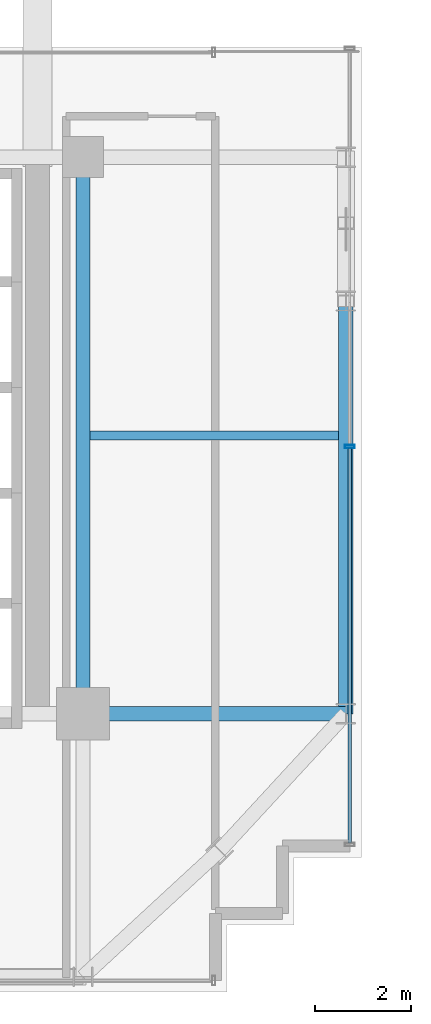
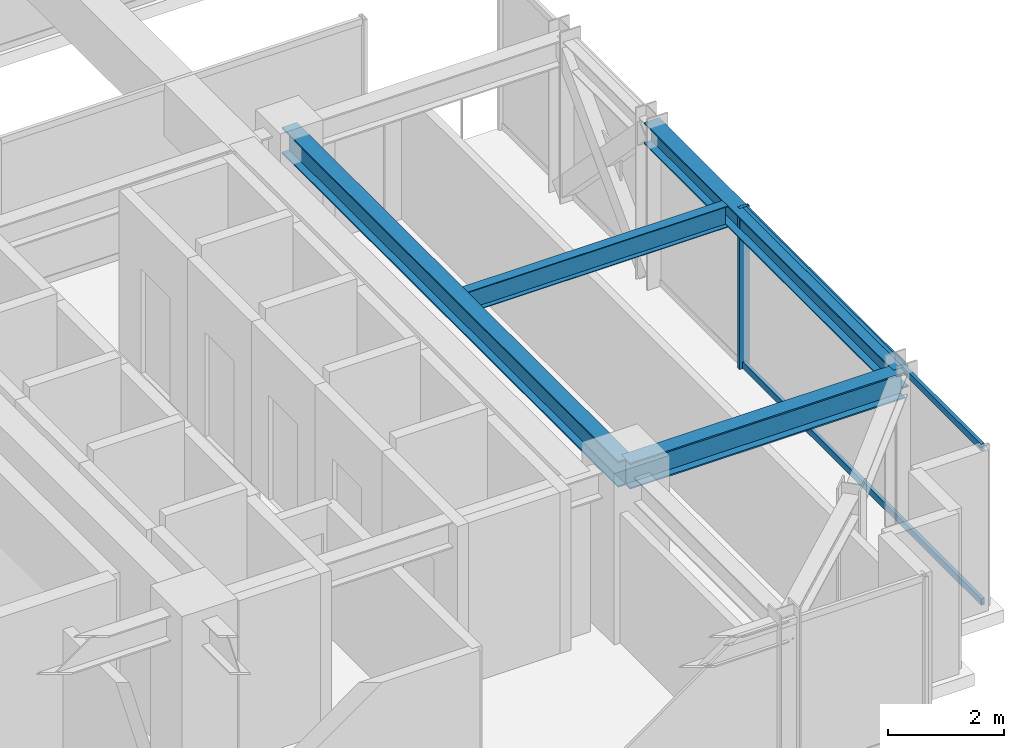
# One storey, part 14 of 38: 4 beams, 3 members, 1 element without a shape of its own.
"""IFC4 building model written with IfcOpenShell, lengths in metres."""

from ifc_helpers import new_model, si_unit, direction, frame, origin, origin_2d, place, context, subcontext, project, spatial, hollow_rectangle, i_section, extrude, source, transform, mapped, material, material_profile, profile_set, type_object, element, aggregate, save


model = new_model("IFC4")

# Units and contexts
model_context = context("Model", 3, precision=1e-05, world=origin(), true_north=direction((0.0, 1.0)))
body_context = subcontext(model_context, "Body", "Model", "MODEL_VIEW")
ifc_project = project(units=[si_unit("LENGTHUNIT", "METRE"), si_unit("AREAUNIT", "SQUARE_METRE"), si_unit("VOLUMEUNIT", "CUBIC_METRE"), si_unit("PLANEANGLEUNIT", "RADIAN"), si_unit("MASSUNIT", "GRAM", prefix="KILO")], contexts=[model_context])

# Site, building, storey
site_placement = place(None, origin())
site = spatial("IfcSite", under=ifc_project, at=site_placement, CompositionType="ELEMENT")
building_placement = place(site_placement, origin())
building = spatial("IfcBuilding", under=site, at=building_placement, Name="Nahalor Promenade Grand Hotel", CompositionType="ELEMENT")
storey_placement = place(building_placement, frame((0.0, 0.0, 178.199951171875)))
storey = spatial("IfcBuildingStorey", under=building, at=storey_placement, Name="L45", CompositionType="ELEMENT", Elevation=178.199951171875)

# Beams
ifc_material_1 = material(Name="Steel S355JR", Category="steel")
ifc_material_profile_1 = material_profile(ifc_material_1, i_section(OverallWidth=0.3, OverallDepth=0.55, WebThickness=0.015, FlangeThickness=0.029, at=origin_2d()), Name="HEB 550")
ifc_profile_set_1 = profile_set([ifc_material_profile_1], Name="Steel S355JR")
beam_type_1 = type_object("IfcBeamType", Name="Beam-Girder-HEB550", PredefinedType="BEAM", material=ifc_profile_set_1)
shared_shape_1 = source(origin(), body_context, "Body", "SweptSolid", [
    extrude(i_section(OverallWidth=0.3, OverallDepth=0.55, WebThickness=0.015, FlangeThickness=0.029, at=origin_2d()), origin(), (0.0, 0.0, 1.0), 11.60009765625),
])
beam_1_placement = place(storey_placement, frame((17.0, -17.0, 3.114990234375), z_axis=(0.0, 1.0, 0.0), x_axis=(-1.0, 0.0, 0.0)))
element("IfcBeam", 1, at=beam_1_placement, inside=storey, type_object=beam_type_1, Name="BM-L45-GY-5-1", PredefinedType="BEAM", context=body_context, shape_type="MappedRepresentation", body=[
    mapped(shared_shape_1, transform((0.0, 0.0, 0.0), scale=1.0)),
])
shared_shape_2 = source(origin(), body_context, "Body", "SweptSolid", [
    extrude(i_section(OverallWidth=0.3, OverallDepth=0.55, WebThickness=0.015, FlangeThickness=0.029, at=origin_2d()), origin(), (0.0, 0.0, 1.0), 5.47998046875),
])
beam_2_placement = place(storey_placement, frame((17.0, -17.0, 3.114990234375), z_axis=(1.0, 0.0, 0.0), x_axis=(0.0, 1.0, 0.0)))
element("IfcBeam", 2, at=beam_2_placement, inside=storey, type_object=beam_type_1, Name="BM-L45-GX-0-6", PredefinedType="BEAM", context=body_context, shape_type="MappedRepresentation", body=[
    mapped(shared_shape_2, transform((0.0, 0.0, 0.0), scale=1.0)),
])
ifc_material_profile_2 = material_profile(ifc_material_1, i_section(OverallWidth=0.19, OverallDepth=0.45, WebThickness=0.0094, FlangeThickness=0.0146, at=origin_2d()), Name="IPE 450")
ifc_profile_set_2 = profile_set([ifc_material_profile_2], Name="Steel S355JR")
beam_type_2 = type_object("IfcBeamType", Name="Beam-Joist-IPE450", PredefinedType="JOIST", material=ifc_profile_set_2)
shared_shape_3 = source(origin(), body_context, "Body", "SweptSolid", [
    extrude(i_section(OverallWidth=0.19, OverallDepth=0.45, WebThickness=0.0094, FlangeThickness=0.0146, at=origin_2d()), origin(), (0.0, 0.0, 1.0), 5.18017578125),
])
beam_3_placement = place(storey_placement, frame((17.14990234375, -11.199951171875, 3.1650390625), z_axis=(1.0, 0.0, 0.0), x_axis=(0.0, 1.0, 0.0)))
element("IfcBeam", 3, at=beam_3_placement, inside=storey, type_object=beam_type_2, Name="BM-L45-JSE-0-2", PredefinedType="JOIST", context=body_context, shape_type="MappedRepresentation", body=[
    mapped(shared_shape_3, transform((0.0, 0.0, 0.0), scale=1.0)),
])
ifc_material_profile_3 = material_profile(ifc_material_1, i_section(OverallWidth=0.3, OverallDepth=0.45, WebThickness=0.014, FlangeThickness=0.026, at=origin_2d()), Name="HEB 450")
ifc_profile_set_3 = profile_set([ifc_material_profile_3], Name="Steel S355JR")
beam_type_3 = type_object("IfcBeamType", Name="Beam-Spandrel-HEB450", PredefinedType="SPANDREL", material=ifc_profile_set_3)
shared_shape_4 = source(origin(), body_context, "Body", "SweptSolid", [
    extrude(i_section(OverallWidth=0.3, OverallDepth=0.45, WebThickness=0.014, FlangeThickness=0.026, at=origin_2d()), origin(), (0.0, 0.0, 1.0), 8.60009765625),
])
beam_4_placement = place(storey_placement, frame((22.47998046875, -17.0, 3.1650390625), z_axis=(0.0, 1.0, 0.0), x_axis=(-1.0, 0.0, 0.0)))
element("IfcBeam", 4, at=beam_4_placement, inside=storey, type_object=beam_type_3, Name="BM-L45-SP-E-0", PredefinedType="SPANDREL", context=body_context, shape_type="MappedRepresentation", body=[
    mapped(shared_shape_4, transform((0.0, 0.0, 0.0), scale=1.0)),
])

# Curtain wall, members
ifc_material_2 = material(Name="Anodised Bronze Aluminium EN AW-6063 T6", Category="aluminium")
curtain_wall_type = type_object("IfcCurtainWallType", Name="CW3 Elliptical-Void Collar Unitised Curtain Wall", PredefinedType="USERDEFINED", material=ifc_material_2)
curtain_wall_placement = place(storey_placement, origin())
curtain_wall = element("IfcCurtainWall", 5, at=curtain_wall_placement, inside=storey, type_object=curtain_wall_type, Name="L45 Curtain Wall CW-L45-E-1", ObjectType="UNITISED_CURTAIN_WALL", PredefinedType="USERDEFINED")
ifc_material_profile_4 = material_profile(ifc_material_2, hollow_rectangle(XDim=0.07, YDim=0.2, WallThickness=0.005, at=origin_2d()), Name="CWM 70x200x5")
ifc_profile_set_4 = profile_set([ifc_material_profile_4], Name="Anodised Bronze Aluminium EN AW-6063 T6")
member_type_1 = type_object("IfcMemberType", Name="CWM3 Void Collar Mullion 70x200", PredefinedType="MULLION", material=ifc_profile_set_4)
shared_shape_5 = source(origin(), body_context, "Body", "SweptSolid", [
    extrude(hollow_rectangle(XDim=0.07, YDim=0.2, WallThickness=0.005, at=origin_2d()), origin(), (0.0, 0.0, 1.0), 3.39013671875),
])
member_1_placement = place(storey_placement, frame((22.56005859375, -11.429931640625, 0.0), z_axis=(0.0, 0.0, 1.0), x_axis=(0.0, 1.0, 0.0)))
member_1 = element("IfcMember", 6, at=member_1_placement, type_object=member_type_1, Name="CW-L45-E-1 Mullion 1", PredefinedType="MULLION", context=body_context, shape_type="MappedRepresentation", body=[
    mapped(shared_shape_5, transform((0.0, 0.0, 0.0), scale=1.0)),
])
ifc_material_profile_5 = material_profile(ifc_material_2, hollow_rectangle(XDim=0.07, YDim=0.14, WallThickness=0.004, at=origin_2d()), Name="CWT 70x140x4")
ifc_profile_set_5 = profile_set([ifc_material_profile_5], Name="Anodised Bronze Aluminium EN AW-6063 T6")
member_type_2 = type_object("IfcMemberType", Name="CWT3 Void Collar Transom 70x140", PredefinedType="USERDEFINED", material=ifc_profile_set_5)
shared_shape_6 = source(origin(), body_context, "Body", "SweptSolid", [
    extrude(hollow_rectangle(XDim=0.07, YDim=0.14, WallThickness=0.004, at=origin_2d()), origin(), (0.0, 0.0, 1.0), 8.224853515625),
])
member_2_placement = place(storey_placement, frame((22.56005859375, -19.68994140625, 0.070068359375), z_axis=(0.0, 1.0, 0.0), x_axis=(-1.0, 0.0, 0.0)))
member_2 = element("IfcMember", 7, at=member_2_placement, type_object=member_type_2, Name="CW-L45-E-1 Transom 0-0", ObjectType="TRANSOM", PredefinedType="USERDEFINED", context=body_context, shape_type="MappedRepresentation", body=[
    mapped(shared_shape_6, transform((0.0, 0.0, 0.0), scale=1.0)),
])
member_3_placement = place(storey_placement, frame((22.56005859375, -19.68994140625, 3.320068359375), z_axis=(0.0, 1.0, 0.0), x_axis=(-1.0, 0.0, 0.0)))
member_3 = element("IfcMember", 8, at=member_3_placement, type_object=member_type_2, Name="CW-L45-E-1 Transom 0-1", ObjectType="TRANSOM", PredefinedType="USERDEFINED", context=body_context, shape_type="MappedRepresentation", body=[
    mapped(shared_shape_6, transform((0.0, 0.0, 0.0), scale=1.0)),
])
aggregate(curtain_wall, [member_1, member_2, member_3])

save(model, "model.ifc")
